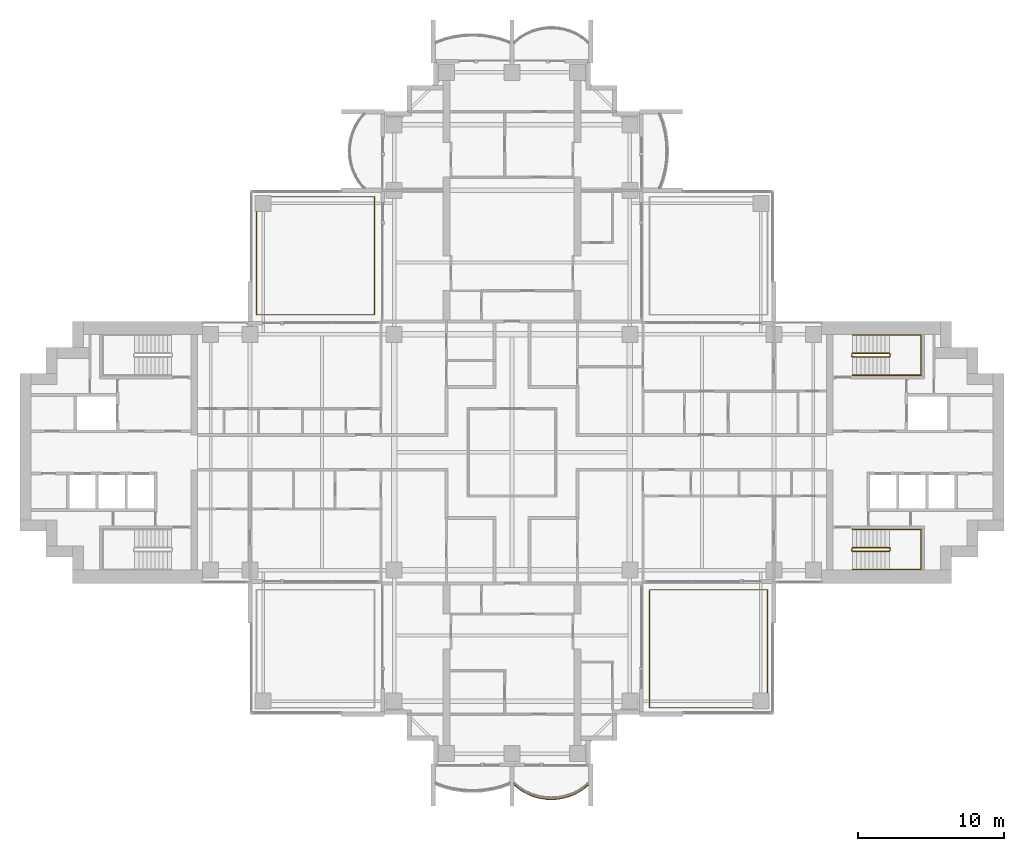
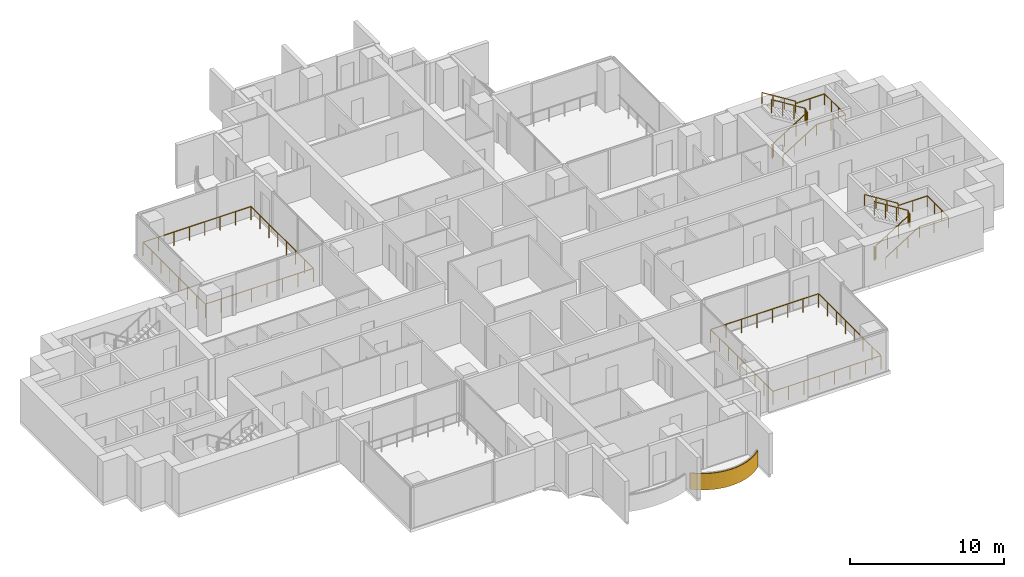
# One storey, part 17 of 18: 6 railings, 1 covering.
"""IFC4 building model written with IfcOpenShell, lengths in metres."""

from ifc_helpers import new_model, si_unit, direction, frame, origin, origin_2d, place, context, subcontext, project, spatial, polyline, rectangle, outline, extrude, material, layer, layer_set, type_object, element, save


model = new_model("IFC4")

# Units and contexts
model_context = context("Model", 3, precision=1e-05, world=origin(), true_north=direction((0.0, 1.0)))
body_context = subcontext(model_context, "Body", "Model", "MODEL_VIEW")
ifc_project = project(units=[si_unit("LENGTHUNIT", "METRE"), si_unit("AREAUNIT", "SQUARE_METRE"), si_unit("VOLUMEUNIT", "CUBIC_METRE"), si_unit("PLANEANGLEUNIT", "RADIAN"), si_unit("MASSUNIT", "GRAM", prefix="KILO")], contexts=[model_context])

# Site, building, storey
site_placement = place(None, origin())
site = spatial("IfcSite", under=ifc_project, at=site_placement, CompositionType="ELEMENT")
building_placement = place(site_placement, origin())
building = spatial("IfcBuilding", under=site, at=building_placement, Name="Perihelion Cross Residences", CompositionType="ELEMENT")
storey_placement = place(building_placement, frame((0.0, 0.0, 123.39990234375)))
storey = spatial("IfcBuildingStorey", under=building, at=storey_placement, Name="L29", CompositionType="ELEMENT", Elevation=123.39990234375)

# Covering
ifc_material_1 = material(Name="Bronze anodised aluminium", Category="aluminium")
ifc_layer = layer(ifc_material_1, 0.070068359375)
ifc_layer_set = layer_set([ifc_layer], Name="Balcony fascia 1300")
covering_type = type_object("IfcCoveringType", Name="Balcony fascia 1300", PredefinedType="CLADDING", material=ifc_layer_set)
covering_placement = place(storey_placement, frame((0.0, 0.0, -0.199951171875)))
element("IfcCovering", 1, at=covering_placement, inside=storey, type_object=covering_type, Name="Fascia BF1 L29 south tip south bay 2", PredefinedType="CLADDING", context=body_context, shape_type="SweptSolid", body=[
    extrude(outline(polyline([(0.53515625, -23.197509765625), (0.96826171875, -23.455078125), (1.401123046875, -23.642578125), (1.833984375, -23.7705078125), (2.26708984375, -23.845458984375), (2.699951171875, -23.8701171875), (3.133056640625, -23.845458984375), (3.56591796875, -23.7705078125), (3.998779296875, -23.642578125), (4.431884765625, -23.455078125), (4.86474609375, -23.197509765625), (5.25, -22.8896484375), (5.25, -22.800048828125), (4.824951171875, -23.14013671875), (4.39990234375, -23.392578125), (3.97509765625, -23.57666015625), (3.550048828125, -23.702392578125), (3.125, -23.77587890625), (2.699951171875, -23.800048828125), (2.27490234375, -23.77587890625), (1.85009765625, -23.702392578125), (1.425048828125, -23.57666015625), (1.0, -23.392578125), (0.574951171875, -23.14013671875), (0.14990234375, -22.800048828125), (0.14990234375, -22.8896484375), (0.53515625, -23.197509765625)])), origin(), (0.0, 0.0, 1.0), 1.300048828125),
])

# Railings
ifc_material_2 = material(Name="Bronze anodised aluminium", Category="aluminium")
railing_type_1 = type_object("IfcRailingType", Name="Balcony guard 1100", PredefinedType="GUARDRAIL", material=ifc_material_2)
railing_1_placement = place(storey_placement, frame((-9.449951171875, 9.449951171875, 0.0)))
element("IfcRailing", 2, at=railing_1_placement, inside=storey, type_object=railing_type_1, Name="Guard GU1 L29 pocket north-west 1", PredefinedType="GUARDRAIL", context=body_context, shape_type="SweptSolid", body=[
    extrude(rectangle(XDim=0.048095703125, YDim=0.048095703125, at=origin_2d()), frame((0.0, 0.0, 1.076171875), z_axis=(-1.0, 0.0, 0.0), x_axis=(0.0, -1.0, 0.0)), (0.0, 0.0, 1.0), 8.10009765625),
    extrude(rectangle(XDim=0.048095703125, YDim=0.048095703125, at=origin_2d()), frame((-8.10009765625, 0.0, 1.076171875), z_axis=(0.0, 1.0, 0.0), x_axis=(-1.0, 0.0, 0.0)), (0.0, 0.0, 1.0), 8.10009765625),
    extrude(rectangle(XDim=0.048095703125, YDim=0.048095703125, at=origin_2d()), frame((-8.10009765625, 8.10009765625, 1.076171875), z_axis=(1.0, 0.0, 0.0), x_axis=(0.0, 1.0, 0.0)), (0.0, 0.0, 1.0), 8.10009765625),
    extrude(rectangle(XDim=0.048095703125, YDim=0.048095703125, at=origin_2d()), frame((0.0, 8.10009765625, 1.076171875), z_axis=(0.0, -1.0, 0.0), x_axis=(1.0, 0.0, 0.0)), (0.0, 0.0, 1.0), 8.10009765625),
    extrude(rectangle(XDim=0.0419921875, YDim=0.0419921875, at=origin_2d()), origin(), (0.0, 0.0, 1.0), 1.052001953125),
    extrude(rectangle(XDim=0.0419921875, YDim=0.0419921875, at=origin_2d()), frame((-1.1572265625, 0.0, 0.0)), (0.0, 0.0, 1.0), 1.052001953125),
    extrude(rectangle(XDim=0.0419921875, YDim=0.0419921875, at=origin_2d()), frame((-2.314208984375, 0.0, 0.0)), (0.0, 0.0, 1.0), 1.052001953125),
    extrude(rectangle(XDim=0.0419921875, YDim=0.0419921875, at=origin_2d()), frame((-3.471435546875, 0.0, 0.0)), (0.0, 0.0, 1.0), 1.052001953125),
    extrude(rectangle(XDim=0.0419921875, YDim=0.0419921875, at=origin_2d()), frame((-4.628662109375, 0.0, 0.0)), (0.0, 0.0, 1.0), 1.052001953125),
    extrude(rectangle(XDim=0.0419921875, YDim=0.0419921875, at=origin_2d()), frame((-5.785888671875, 0.0, 0.0)), (0.0, 0.0, 1.0), 1.052001953125),
    extrude(rectangle(XDim=0.0419921875, YDim=0.0419921875, at=origin_2d()), frame((-6.94287109375, 0.0, 0.0)), (0.0, 0.0, 1.0), 1.052001953125),
    extrude(rectangle(XDim=0.0419921875, YDim=0.0419921875, at=origin_2d()), frame((-8.10009765625, 0.0, 0.0)), (0.0, 0.0, 1.0), 1.052001953125),
    extrude(rectangle(XDim=0.0419921875, YDim=0.0419921875, at=origin_2d()), frame((-8.10009765625, 1.1572265625, 0.0)), (0.0, 0.0, 1.0), 1.052001953125),
    extrude(rectangle(XDim=0.0419921875, YDim=0.0419921875, at=origin_2d()), frame((-8.10009765625, 2.314208984375, 0.0)), (0.0, 0.0, 1.0), 1.052001953125),
    extrude(rectangle(XDim=0.0419921875, YDim=0.0419921875, at=origin_2d()), frame((-8.10009765625, 3.471435546875, 0.0)), (0.0, 0.0, 1.0), 1.052001953125),
    extrude(rectangle(XDim=0.0419921875, YDim=0.0419921875, at=origin_2d()), frame((-8.10009765625, 4.628662109375, 0.0)), (0.0, 0.0, 1.0), 1.052001953125),
    extrude(rectangle(XDim=0.0419921875, YDim=0.0419921875, at=origin_2d()), frame((-8.10009765625, 5.785888671875, 0.0)), (0.0, 0.0, 1.0), 1.052001953125),
    extrude(rectangle(XDim=0.0419921875, YDim=0.0419921875, at=origin_2d()), frame((-8.10009765625, 6.94287109375, 0.0)), (0.0, 0.0, 1.0), 1.052001953125),
    extrude(rectangle(XDim=0.0419921875, YDim=0.0419921875, at=origin_2d()), frame((-8.10009765625, 8.10009765625, 0.0)), (0.0, 0.0, 1.0), 1.052001953125),
    extrude(rectangle(XDim=0.0419921875, YDim=0.0419921875, at=origin_2d()), frame((-6.94287109375, 8.10009765625, 0.0)), (0.0, 0.0, 1.0), 1.052001953125),
    extrude(rectangle(XDim=0.0419921875, YDim=0.0419921875, at=origin_2d()), frame((-5.785888671875, 8.10009765625, 0.0)), (0.0, 0.0, 1.0), 1.052001953125),
    extrude(rectangle(XDim=0.0419921875, YDim=0.0419921875, at=origin_2d()), frame((-4.628662109375, 8.10009765625, 0.0)), (0.0, 0.0, 1.0), 1.052001953125),
    extrude(rectangle(XDim=0.0419921875, YDim=0.0419921875, at=origin_2d()), frame((-3.471435546875, 8.10009765625, 0.0)), (0.0, 0.0, 1.0), 1.052001953125),
    extrude(rectangle(XDim=0.0419921875, YDim=0.0419921875, at=origin_2d()), frame((-2.314208984375, 8.10009765625, 0.0)), (0.0, 0.0, 1.0), 1.052001953125),
    extrude(rectangle(XDim=0.0419921875, YDim=0.0419921875, at=origin_2d()), frame((-1.1572265625, 8.10009765625, 0.0)), (0.0, 0.0, 1.0), 1.052001953125),
    extrude(rectangle(XDim=0.0419921875, YDim=0.0419921875, at=origin_2d()), frame((0.0, 8.10009765625, 0.0)), (0.0, 0.0, 1.0), 1.052001953125),
    extrude(rectangle(XDim=0.0419921875, YDim=0.0419921875, at=origin_2d()), frame((0.0, 6.94287109375, 0.0)), (0.0, 0.0, 1.0), 1.052001953125),
    extrude(rectangle(XDim=0.0419921875, YDim=0.0419921875, at=origin_2d()), frame((0.0, 5.785888671875, 0.0)), (0.0, 0.0, 1.0), 1.052001953125),
    extrude(rectangle(XDim=0.0419921875, YDim=0.0419921875, at=origin_2d()), frame((0.0, 4.628662109375, 0.0)), (0.0, 0.0, 1.0), 1.052001953125),
    extrude(rectangle(XDim=0.0419921875, YDim=0.0419921875, at=origin_2d()), frame((0.0, 3.471435546875, 0.0)), (0.0, 0.0, 1.0), 1.052001953125),
    extrude(rectangle(XDim=0.0419921875, YDim=0.0419921875, at=origin_2d()), frame((0.0, 2.314208984375, 0.0)), (0.0, 0.0, 1.0), 1.052001953125),
    extrude(rectangle(XDim=0.0419921875, YDim=0.0419921875, at=origin_2d()), frame((0.0, 1.1572265625, 0.0)), (0.0, 0.0, 1.0), 1.052001953125),
])
railing_2_placement = place(storey_placement, frame((17.550048828125, -17.550048828125, 0.0)))
element("IfcRailing", 3, at=railing_2_placement, inside=storey, type_object=railing_type_1, Name="Guard GU1 L29 pocket south-east 1", PredefinedType="GUARDRAIL", context=body_context, shape_type="SweptSolid", body=[
    extrude(rectangle(XDim=0.048095703125, YDim=0.048095703125, at=origin_2d()), frame((0.0, 0.0, 1.076171875), z_axis=(-1.0, 0.0, 0.0), x_axis=(0.0, -1.0, 0.0)), (0.0, 0.0, 1.0), 8.10009765625),
    extrude(rectangle(XDim=0.048095703125, YDim=0.048095703125, at=origin_2d()), frame((-8.10009765625, 0.0, 1.076171875), z_axis=(0.0, 1.0, 0.0), x_axis=(-1.0, 0.0, 0.0)), (0.0, 0.0, 1.0), 8.10009765625),
    extrude(rectangle(XDim=0.048095703125, YDim=0.048095703125, at=origin_2d()), frame((-8.10009765625, 8.10009765625, 1.076171875), z_axis=(1.0, 0.0, 0.0), x_axis=(0.0, 1.0, 0.0)), (0.0, 0.0, 1.0), 8.10009765625),
    extrude(rectangle(XDim=0.048095703125, YDim=0.048095703125, at=origin_2d()), frame((0.0, 8.10009765625, 1.076171875), z_axis=(0.0, -1.0, 0.0), x_axis=(1.0, 0.0, 0.0)), (0.0, 0.0, 1.0), 8.10009765625),
    extrude(rectangle(XDim=0.0419921875, YDim=0.0419921875, at=origin_2d()), origin(), (0.0, 0.0, 1.0), 1.052001953125),
    extrude(rectangle(XDim=0.0419921875, YDim=0.0419921875, at=origin_2d()), frame((-1.1572265625, 0.0, 0.0)), (0.0, 0.0, 1.0), 1.052001953125),
    extrude(rectangle(XDim=0.0419921875, YDim=0.0419921875, at=origin_2d()), frame((-2.314208984375, 0.0, 0.0)), (0.0, 0.0, 1.0), 1.052001953125),
    extrude(rectangle(XDim=0.0419921875, YDim=0.0419921875, at=origin_2d()), frame((-3.471435546875, 0.0, 0.0)), (0.0, 0.0, 1.0), 1.052001953125),
    extrude(rectangle(XDim=0.0419921875, YDim=0.0419921875, at=origin_2d()), frame((-4.628662109375, 0.0, 0.0)), (0.0, 0.0, 1.0), 1.052001953125),
    extrude(rectangle(XDim=0.0419921875, YDim=0.0419921875, at=origin_2d()), frame((-5.785888671875, 0.0, 0.0)), (0.0, 0.0, 1.0), 1.052001953125),
    extrude(rectangle(XDim=0.0419921875, YDim=0.0419921875, at=origin_2d()), frame((-6.94287109375, 0.0, 0.0)), (0.0, 0.0, 1.0), 1.052001953125),
    extrude(rectangle(XDim=0.0419921875, YDim=0.0419921875, at=origin_2d()), frame((-8.10009765625, 0.0, 0.0)), (0.0, 0.0, 1.0), 1.052001953125),
    extrude(rectangle(XDim=0.0419921875, YDim=0.0419921875, at=origin_2d()), frame((-8.10009765625, 1.1572265625, 0.0)), (0.0, 0.0, 1.0), 1.052001953125),
    extrude(rectangle(XDim=0.0419921875, YDim=0.0419921875, at=origin_2d()), frame((-8.10009765625, 2.314208984375, 0.0)), (0.0, 0.0, 1.0), 1.052001953125),
    extrude(rectangle(XDim=0.0419921875, YDim=0.0419921875, at=origin_2d()), frame((-8.10009765625, 3.471435546875, 0.0)), (0.0, 0.0, 1.0), 1.052001953125),
    extrude(rectangle(XDim=0.0419921875, YDim=0.0419921875, at=origin_2d()), frame((-8.10009765625, 4.628662109375, 0.0)), (0.0, 0.0, 1.0), 1.052001953125),
    extrude(rectangle(XDim=0.0419921875, YDim=0.0419921875, at=origin_2d()), frame((-8.10009765625, 5.785888671875, 0.0)), (0.0, 0.0, 1.0), 1.052001953125),
    extrude(rectangle(XDim=0.0419921875, YDim=0.0419921875, at=origin_2d()), frame((-8.10009765625, 6.94287109375, 0.0)), (0.0, 0.0, 1.0), 1.052001953125),
    extrude(rectangle(XDim=0.0419921875, YDim=0.0419921875, at=origin_2d()), frame((-8.10009765625, 8.10009765625, 0.0)), (0.0, 0.0, 1.0), 1.052001953125),
    extrude(rectangle(XDim=0.0419921875, YDim=0.0419921875, at=origin_2d()), frame((-6.94287109375, 8.10009765625, 0.0)), (0.0, 0.0, 1.0), 1.052001953125),
    extrude(rectangle(XDim=0.0419921875, YDim=0.0419921875, at=origin_2d()), frame((-5.785888671875, 8.10009765625, 0.0)), (0.0, 0.0, 1.0), 1.052001953125),
    extrude(rectangle(XDim=0.0419921875, YDim=0.0419921875, at=origin_2d()), frame((-4.628662109375, 8.10009765625, 0.0)), (0.0, 0.0, 1.0), 1.052001953125),
    extrude(rectangle(XDim=0.0419921875, YDim=0.0419921875, at=origin_2d()), frame((-3.471435546875, 8.10009765625, 0.0)), (0.0, 0.0, 1.0), 1.052001953125),
    extrude(rectangle(XDim=0.0419921875, YDim=0.0419921875, at=origin_2d()), frame((-2.314208984375, 8.10009765625, 0.0)), (0.0, 0.0, 1.0), 1.052001953125),
    extrude(rectangle(XDim=0.0419921875, YDim=0.0419921875, at=origin_2d()), frame((-1.1572265625, 8.10009765625, 0.0)), (0.0, 0.0, 1.0), 1.052001953125),
    extrude(rectangle(XDim=0.0419921875, YDim=0.0419921875, at=origin_2d()), frame((0.0, 8.10009765625, 0.0)), (0.0, 0.0, 1.0), 1.052001953125),
    extrude(rectangle(XDim=0.0419921875, YDim=0.0419921875, at=origin_2d()), frame((0.0, 6.94287109375, 0.0)), (0.0, 0.0, 1.0), 1.052001953125),
    extrude(rectangle(XDim=0.0419921875, YDim=0.0419921875, at=origin_2d()), frame((0.0, 5.785888671875, 0.0)), (0.0, 0.0, 1.0), 1.052001953125),
    extrude(rectangle(XDim=0.0419921875, YDim=0.0419921875, at=origin_2d()), frame((0.0, 4.628662109375, 0.0)), (0.0, 0.0, 1.0), 1.052001953125),
    extrude(rectangle(XDim=0.0419921875, YDim=0.0419921875, at=origin_2d()), frame((0.0, 3.471435546875, 0.0)), (0.0, 0.0, 1.0), 1.052001953125),
    extrude(rectangle(XDim=0.0419921875, YDim=0.0419921875, at=origin_2d()), frame((0.0, 2.314208984375, 0.0)), (0.0, 0.0, 1.0), 1.052001953125),
    extrude(rectangle(XDim=0.0419921875, YDim=0.0419921875, at=origin_2d()), frame((0.0, 1.1572265625, 0.0)), (0.0, 0.0, 1.0), 1.052001953125),
])
ifc_material_3 = material(Name="Stainless steel", Category="steel")
railing_type_2 = type_object("IfcRailingType", Name="Stair guard 1100", PredefinedType="GUARDRAIL", material=ifc_material_3)
railing_3_placement = place(storey_placement, frame((23.35009765625, 6.75, 0.0)))
element("IfcRailing", 4, at=railing_3_placement, inside=storey, type_object=railing_type_2, Name="L29 ST-E1 stair guard 1", PredefinedType="GUARDRAIL", context=body_context, shape_type="SweptSolid", body=[
    extrude(rectangle(XDim=0.048095703125, YDim=0.048095703125, at=origin_2d()), frame((0.0, 0.0, 1.076171875), z_axis=(0.0, -1.0, 0.0), x_axis=(1.0, 0.0, 0.0)), (0.0, 0.0, 1.0), 0.14990234375),
    extrude(rectangle(XDim=0.048095703125, YDim=0.048095703125, at=origin_2d()), frame((0.0, -0.14990234375, 1.076171875), z_axis=(0.263862480399, -0.265155923931, 0.927399011991), x_axis=(0.708833529934, 0.705375805398, 0.0)), (0.0, 0.0, 1.0), 0.188720703125),
    extrude(rectangle(XDim=0.048095703125, YDim=0.048095703125, at=origin_2d()), frame((0.0498046875, -0.199951171875, 1.2509765625), z_axis=(0.848007534815, 0.0, 0.529984170421), x_axis=(0.0, 1.0, 0.0)), (0.0, 0.0, 1.0), 2.9716796875),
    extrude(rectangle(XDim=0.048095703125, YDim=0.048095703125, at=origin_2d()), frame((2.56982421875, -0.199951171875, 2.826171875), z_axis=(0.707106781187, 0.707106781187, 0.0), x_axis=(-0.707106781187, 0.707106781187, 0.0)), (0.0, 0.0, 1.0), 0.07080078125),
    extrude(rectangle(XDim=0.048095703125, YDim=0.048095703125, at=origin_2d()), frame((2.619873046875, -0.14990234375, 2.826171875), z_axis=(0.0, 1.0, 0.0), x_axis=(-1.0, 0.0, 0.0)), (0.0, 0.0, 1.0), 0.14990234375),
    extrude(rectangle(XDim=0.048095703125, YDim=0.048095703125, at=origin_2d()), frame((2.619873046875, 0.0, 2.826171875), z_axis=(-0.265065253269, 0.265065253269, 0.927081885822), x_axis=(-0.707106781187, -0.707106781187, 0.0)), (0.0, 0.0, 1.0), 0.188720703125),
    extrude(rectangle(XDim=0.048095703125, YDim=0.048095703125, at=origin_2d()), frame((2.56982421875, 0.050048828125, 3.0009765625), z_axis=(-0.848007534815, 0.0, 0.529984170421), x_axis=(0.0, -1.0, 0.0)), (0.0, 0.0, 1.0), 2.9716796875),
    extrude(rectangle(XDim=0.0419921875, YDim=0.0419921875, at=origin_2d()), origin(), (0.0, 0.0, 1.0), 1.052001953125),
    extrude(rectangle(XDim=0.0419921875, YDim=0.0419921875, at=origin_2d()), frame((0.0, -0.14990234375, 0.0)), (0.0, 0.0, 1.0), 1.052001953125),
    extrude(rectangle(XDim=0.0419921875, YDim=0.0419921875, at=origin_2d()), frame((0.0498046875, -0.199951171875, 0.175048828125)), (0.0, 0.0, 1.0), 1.052001953125),
    extrude(rectangle(XDim=0.0419921875, YDim=0.0419921875, at=origin_2d()), frame((0.889892578125, -0.199951171875, 0.699951171875)), (0.0, 0.0, 1.0), 1.052001953125),
    extrude(rectangle(XDim=0.0419921875, YDim=0.0419921875, at=origin_2d()), frame((1.729736328125, -0.199951171875, 1.22509765625)), (0.0, 0.0, 1.0), 1.052001953125),
    extrude(rectangle(XDim=0.0419921875, YDim=0.0419921875, at=origin_2d()), frame((2.56982421875, -0.199951171875, 1.75)), (0.0, 0.0, 1.0), 1.052001953125),
    extrude(rectangle(XDim=0.0419921875, YDim=0.0419921875, at=origin_2d()), frame((2.619873046875, -0.14990234375, 1.75)), (0.0, 0.0, 1.0), 1.052001953125),
    extrude(rectangle(XDim=0.0419921875, YDim=0.0419921875, at=origin_2d()), frame((2.619873046875, 0.0, 1.75)), (0.0, 0.0, 1.0), 1.052001953125),
    extrude(rectangle(XDim=0.0419921875, YDim=0.0419921875, at=origin_2d()), frame((2.56982421875, 0.050048828125, 1.925048828125)), (0.0, 0.0, 1.0), 1.052001953125),
    extrude(rectangle(XDim=0.0419921875, YDim=0.0419921875, at=origin_2d()), frame((1.729736328125, 0.050048828125, 2.449951171875)), (0.0, 0.0, 1.0), 1.052001953125),
    extrude(rectangle(XDim=0.0419921875, YDim=0.0419921875, at=origin_2d()), frame((0.889892578125, 0.050048828125, 2.97509765625)), (0.0, 0.0, 1.0), 1.052001953125),
    extrude(rectangle(XDim=0.0419921875, YDim=0.0419921875, at=origin_2d()), frame((0.0498046875, 0.050048828125, 3.5)), (0.0, 0.0, 1.0), 1.052001953125),
])
railing_4_placement = place(storey_placement, frame((23.35009765625, -6.60009765625, 0.0)))
element("IfcRailing", 5, at=railing_4_placement, inside=storey, type_object=railing_type_2, Name="L29 ST-E2 stair guard 1", PredefinedType="GUARDRAIL", context=body_context, shape_type="SweptSolid", body=[
    extrude(rectangle(XDim=0.048095703125, YDim=0.048095703125, at=origin_2d()), frame((0.0, 0.0, 1.076171875), z_axis=(0.0, -1.0, 0.0), x_axis=(1.0, 0.0, 0.0)), (0.0, 0.0, 1.0), 0.14990234375),
    extrude(rectangle(XDim=0.048095703125, YDim=0.048095703125, at=origin_2d()), frame((0.0, -0.14990234375, 1.076171875), z_axis=(0.263862480399, -0.265155923931, 0.927399011991), x_axis=(0.708833529934, 0.705375805398, 0.0)), (0.0, 0.0, 1.0), 0.188720703125),
    extrude(rectangle(XDim=0.048095703125, YDim=0.048095703125, at=origin_2d()), frame((0.0498046875, -0.199951171875, 1.2509765625), z_axis=(0.848007534815, 0.0, 0.529984170421), x_axis=(0.0, 1.0, 0.0)), (0.0, 0.0, 1.0), 2.9716796875),
    extrude(rectangle(XDim=0.048095703125, YDim=0.048095703125, at=origin_2d()), frame((2.56982421875, -0.199951171875, 2.826171875), z_axis=(0.707106781187, 0.707106781187, 0.0), x_axis=(-0.707106781187, 0.707106781187, 0.0)), (0.0, 0.0, 1.0), 0.07080078125),
    extrude(rectangle(XDim=0.048095703125, YDim=0.048095703125, at=origin_2d()), frame((2.619873046875, -0.14990234375, 2.826171875), z_axis=(0.0, 1.0, 0.0), x_axis=(-1.0, 0.0, 0.0)), (0.0, 0.0, 1.0), 0.14990234375),
    extrude(rectangle(XDim=0.048095703125, YDim=0.048095703125, at=origin_2d()), frame((2.619873046875, 0.0, 2.826171875), z_axis=(-0.265065253269, 0.265065253269, 0.927081885822), x_axis=(-0.707106781187, -0.707106781187, 0.0)), (0.0, 0.0, 1.0), 0.188720703125),
    extrude(rectangle(XDim=0.048095703125, YDim=0.048095703125, at=origin_2d()), frame((2.56982421875, 0.050048828125, 3.0009765625), z_axis=(-0.848007534815, 0.0, 0.529984170421), x_axis=(0.0, -1.0, 0.0)), (0.0, 0.0, 1.0), 2.9716796875),
    extrude(rectangle(XDim=0.0419921875, YDim=0.0419921875, at=origin_2d()), origin(), (0.0, 0.0, 1.0), 1.052001953125),
    extrude(rectangle(XDim=0.0419921875, YDim=0.0419921875, at=origin_2d()), frame((0.0, -0.14990234375, 0.0)), (0.0, 0.0, 1.0), 1.052001953125),
    extrude(rectangle(XDim=0.0419921875, YDim=0.0419921875, at=origin_2d()), frame((0.0498046875, -0.199951171875, 0.175048828125)), (0.0, 0.0, 1.0), 1.052001953125),
    extrude(rectangle(XDim=0.0419921875, YDim=0.0419921875, at=origin_2d()), frame((0.889892578125, -0.199951171875, 0.699951171875)), (0.0, 0.0, 1.0), 1.052001953125),
    extrude(rectangle(XDim=0.0419921875, YDim=0.0419921875, at=origin_2d()), frame((1.729736328125, -0.199951171875, 1.22509765625)), (0.0, 0.0, 1.0), 1.052001953125),
    extrude(rectangle(XDim=0.0419921875, YDim=0.0419921875, at=origin_2d()), frame((2.56982421875, -0.199951171875, 1.75)), (0.0, 0.0, 1.0), 1.052001953125),
    extrude(rectangle(XDim=0.0419921875, YDim=0.0419921875, at=origin_2d()), frame((2.619873046875, -0.14990234375, 1.75)), (0.0, 0.0, 1.0), 1.052001953125),
    extrude(rectangle(XDim=0.0419921875, YDim=0.0419921875, at=origin_2d()), frame((2.619873046875, 0.0, 1.75)), (0.0, 0.0, 1.0), 1.052001953125),
    extrude(rectangle(XDim=0.0419921875, YDim=0.0419921875, at=origin_2d()), frame((2.56982421875, 0.050048828125, 1.925048828125)), (0.0, 0.0, 1.0), 1.052001953125),
    extrude(rectangle(XDim=0.0419921875, YDim=0.0419921875, at=origin_2d()), frame((1.729736328125, 0.050048828125, 2.449951171875)), (0.0, 0.0, 1.0), 1.052001953125),
    extrude(rectangle(XDim=0.0419921875, YDim=0.0419921875, at=origin_2d()), frame((0.889892578125, 0.050048828125, 2.97509765625)), (0.0, 0.0, 1.0), 1.052001953125),
    extrude(rectangle(XDim=0.0419921875, YDim=0.0419921875, at=origin_2d()), frame((0.0498046875, 0.050048828125, 3.5)), (0.0, 0.0, 1.0), 1.052001953125),
])
ifc_material_4 = material(Name="Stainless steel", Category="steel")
railing_type_3 = type_object("IfcRailingType", Name="Stair handrail 900", PredefinedType="HANDRAIL", material=ifc_material_4)
railing_5_placement = place(storey_placement, frame((23.39990234375, 5.300048828125, 0.175048828125)))
element("IfcRailing", 6, at=railing_5_placement, inside=storey, type_object=railing_type_3, Name="L29 ST-E1 stair handrail 1", PredefinedType="HANDRAIL", context=body_context, shape_type="SweptSolid", body=[
    extrude(rectangle(XDim=0.048095703125, YDim=0.048095703125, at=origin_2d()), frame((0.0, 0.0, 0.8759765625), z_axis=(0.848007534815, 0.0, 0.529984170421), x_axis=(0.0, 1.0, 0.0)), (0.0, 0.0, 1.0), 2.9716796875),
    extrude(rectangle(XDim=0.048095703125, YDim=0.048095703125, at=origin_2d()), frame((2.52001953125, 0.0, 2.45068359375), z_axis=(1.0, 0.0, 0.0), x_axis=(0.0, 1.0, 0.0)), (0.0, 0.0, 1.0), 2.18017578125),
    extrude(rectangle(XDim=0.048095703125, YDim=0.048095703125, at=origin_2d()), frame((4.7001953125, 0.0, 2.45068359375), z_axis=(0.0, 1.0, 0.0), x_axis=(-1.0, 0.0, 0.0)), (0.0, 0.0, 1.0), 2.75),
    extrude(rectangle(XDim=0.048095703125, YDim=0.048095703125, at=origin_2d()), frame((4.7001953125, 2.75, 2.45068359375), z_axis=(-1.0, 0.0, 0.0), x_axis=(0.0, -1.0, 0.0)), (0.0, 0.0, 1.0), 2.18017578125),
    extrude(rectangle(XDim=0.048095703125, YDim=0.048095703125, at=origin_2d()), frame((2.52001953125, 2.75, 2.45068359375), z_axis=(0.0, 0.0, 1.0), x_axis=(1.0, 0.0, 0.0)), (0.0, 0.0, 1.0), 0.175048828125),
    extrude(rectangle(XDim=0.048095703125, YDim=0.048095703125, at=origin_2d()), frame((2.52001953125, 2.75, 2.6259765625), z_axis=(-0.848007534815, 0.0, 0.529984170421), x_axis=(0.0, -1.0, 0.0)), (0.0, 0.0, 1.0), 2.9716796875),
    extrude(rectangle(XDim=0.0419921875, YDim=0.0419921875, at=origin_2d()), origin(), (0.0, 0.0, 1.0), 0.851806640625),
    extrude(rectangle(XDim=0.0419921875, YDim=0.0419921875, at=origin_2d()), frame((0.840087890625, 0.0, 0.52490234375)), (0.0, 0.0, 1.0), 0.851806640625),
    extrude(rectangle(XDim=0.0419921875, YDim=0.0419921875, at=origin_2d()), frame((1.679931640625, 0.0, 1.050048828125)), (0.0, 0.0, 1.0), 0.851806640625),
    extrude(rectangle(XDim=0.0419921875, YDim=0.0419921875, at=origin_2d()), frame((2.52001953125, 0.0, 1.574951171875)), (0.0, 0.0, 1.0), 0.851806640625),
    extrude(rectangle(XDim=0.0419921875, YDim=0.0419921875, at=origin_2d()), frame((3.610107421875, 0.0, 1.574951171875)), (0.0, 0.0, 1.0), 0.851806640625),
    extrude(rectangle(XDim=0.0419921875, YDim=0.0419921875, at=origin_2d()), frame((4.7001953125, 0.0, 1.574951171875)), (0.0, 0.0, 1.0), 0.851806640625),
    extrude(rectangle(XDim=0.0419921875, YDim=0.0419921875, at=origin_2d()), frame((4.7001953125, 0.916748046875, 1.574951171875)), (0.0, 0.0, 1.0), 0.851806640625),
    extrude(rectangle(XDim=0.0419921875, YDim=0.0419921875, at=origin_2d()), frame((4.7001953125, 1.833251953125, 1.574951171875)), (0.0, 0.0, 1.0), 0.851806640625),
    extrude(rectangle(XDim=0.0419921875, YDim=0.0419921875, at=origin_2d()), frame((4.7001953125, 2.75, 1.574951171875)), (0.0, 0.0, 1.0), 0.851806640625),
    extrude(rectangle(XDim=0.0419921875, YDim=0.0419921875, at=origin_2d()), frame((3.610107421875, 2.75, 1.574951171875)), (0.0, 0.0, 1.0), 0.851806640625),
    extrude(rectangle(XDim=0.0419921875, YDim=0.0419921875, at=origin_2d()), frame((2.52001953125, 2.75, 1.574951171875)), (0.0, 0.0, 1.0), 0.851806640625),
    extrude(rectangle(XDim=0.0419921875, YDim=0.0419921875, at=origin_2d()), frame((2.52001953125, 2.75, 1.75)), (0.0, 0.0, 1.0), 0.851806640625),
    extrude(rectangle(XDim=0.0419921875, YDim=0.0419921875, at=origin_2d()), frame((1.679931640625, 2.75, 2.27490234375)), (0.0, 0.0, 1.0), 0.851806640625),
    extrude(rectangle(XDim=0.0419921875, YDim=0.0419921875, at=origin_2d()), frame((0.840087890625, 2.75, 2.800048828125)), (0.0, 0.0, 1.0), 0.851806640625),
    extrude(rectangle(XDim=0.0419921875, YDim=0.0419921875, at=origin_2d()), frame((0.0, 2.75, 3.324951171875)), (0.0, 0.0, 1.0), 0.851806640625),
])
railing_6_placement = place(storey_placement, frame((23.39990234375, -8.050048828125, 0.175048828125)))
element("IfcRailing", 7, at=railing_6_placement, inside=storey, type_object=railing_type_3, Name="L29 ST-E2 stair handrail 1", PredefinedType="HANDRAIL", context=body_context, shape_type="SweptSolid", body=[
    extrude(rectangle(XDim=0.048095703125, YDim=0.048095703125, at=origin_2d()), frame((0.0, 0.0, 0.8759765625), z_axis=(0.848007534815, 0.0, 0.529984170421), x_axis=(0.0, 1.0, 0.0)), (0.0, 0.0, 1.0), 2.9716796875),
    extrude(rectangle(XDim=0.048095703125, YDim=0.048095703125, at=origin_2d()), frame((2.52001953125, 0.0, 2.45068359375), z_axis=(1.0, 0.0, 0.0), x_axis=(0.0, 1.0, 0.0)), (0.0, 0.0, 1.0), 2.18017578125),
    extrude(rectangle(XDim=0.048095703125, YDim=0.048095703125, at=origin_2d()), frame((4.7001953125, 0.0, 2.45068359375), z_axis=(0.0, 1.0, 0.0), x_axis=(-1.0, 0.0, 0.0)), (0.0, 0.0, 1.0), 2.75),
    extrude(rectangle(XDim=0.048095703125, YDim=0.048095703125, at=origin_2d()), frame((4.7001953125, 2.75, 2.45068359375), z_axis=(-1.0, 0.0, 0.0), x_axis=(0.0, -1.0, 0.0)), (0.0, 0.0, 1.0), 2.18017578125),
    extrude(rectangle(XDim=0.048095703125, YDim=0.048095703125, at=origin_2d()), frame((2.52001953125, 2.75, 2.45068359375), z_axis=(0.0, 0.0, 1.0), x_axis=(1.0, 0.0, 0.0)), (0.0, 0.0, 1.0), 0.175048828125),
    extrude(rectangle(XDim=0.048095703125, YDim=0.048095703125, at=origin_2d()), frame((2.52001953125, 2.75, 2.6259765625), z_axis=(-0.848007534815, 0.0, 0.529984170421), x_axis=(0.0, -1.0, 0.0)), (0.0, 0.0, 1.0), 2.9716796875),
    extrude(rectangle(XDim=0.0419921875, YDim=0.0419921875, at=origin_2d()), origin(), (0.0, 0.0, 1.0), 0.851806640625),
    extrude(rectangle(XDim=0.0419921875, YDim=0.0419921875, at=origin_2d()), frame((0.840087890625, 0.0, 0.52490234375)), (0.0, 0.0, 1.0), 0.851806640625),
    extrude(rectangle(XDim=0.0419921875, YDim=0.0419921875, at=origin_2d()), frame((1.679931640625, 0.0, 1.050048828125)), (0.0, 0.0, 1.0), 0.851806640625),
    extrude(rectangle(XDim=0.0419921875, YDim=0.0419921875, at=origin_2d()), frame((2.52001953125, 0.0, 1.574951171875)), (0.0, 0.0, 1.0), 0.851806640625),
    extrude(rectangle(XDim=0.0419921875, YDim=0.0419921875, at=origin_2d()), frame((3.610107421875, 0.0, 1.574951171875)), (0.0, 0.0, 1.0), 0.851806640625),
    extrude(rectangle(XDim=0.0419921875, YDim=0.0419921875, at=origin_2d()), frame((4.7001953125, 0.0, 1.574951171875)), (0.0, 0.0, 1.0), 0.851806640625),
    extrude(rectangle(XDim=0.0419921875, YDim=0.0419921875, at=origin_2d()), frame((4.7001953125, 0.916748046875, 1.574951171875)), (0.0, 0.0, 1.0), 0.851806640625),
    extrude(rectangle(XDim=0.0419921875, YDim=0.0419921875, at=origin_2d()), frame((4.7001953125, 1.833251953125, 1.574951171875)), (0.0, 0.0, 1.0), 0.851806640625),
    extrude(rectangle(XDim=0.0419921875, YDim=0.0419921875, at=origin_2d()), frame((4.7001953125, 2.75, 1.574951171875)), (0.0, 0.0, 1.0), 0.851806640625),
    extrude(rectangle(XDim=0.0419921875, YDim=0.0419921875, at=origin_2d()), frame((3.610107421875, 2.75, 1.574951171875)), (0.0, 0.0, 1.0), 0.851806640625),
    extrude(rectangle(XDim=0.0419921875, YDim=0.0419921875, at=origin_2d()), frame((2.52001953125, 2.75, 1.574951171875)), (0.0, 0.0, 1.0), 0.851806640625),
    extrude(rectangle(XDim=0.0419921875, YDim=0.0419921875, at=origin_2d()), frame((2.52001953125, 2.75, 1.75)), (0.0, 0.0, 1.0), 0.851806640625),
    extrude(rectangle(XDim=0.0419921875, YDim=0.0419921875, at=origin_2d()), frame((1.679931640625, 2.75, 2.27490234375)), (0.0, 0.0, 1.0), 0.851806640625),
    extrude(rectangle(XDim=0.0419921875, YDim=0.0419921875, at=origin_2d()), frame((0.840087890625, 2.75, 2.800048828125)), (0.0, 0.0, 1.0), 0.851806640625),
    extrude(rectangle(XDim=0.0419921875, YDim=0.0419921875, at=origin_2d()), frame((0.0, 2.75, 3.324951171875)), (0.0, 0.0, 1.0), 0.851806640625),
])

save(model, "model.ifc")
